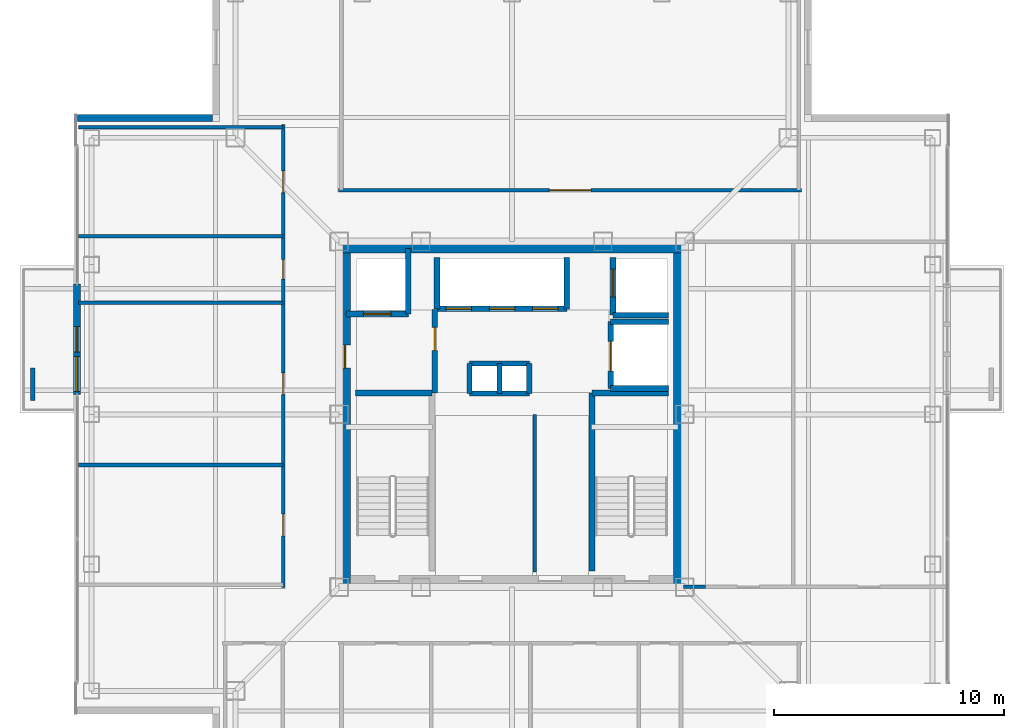
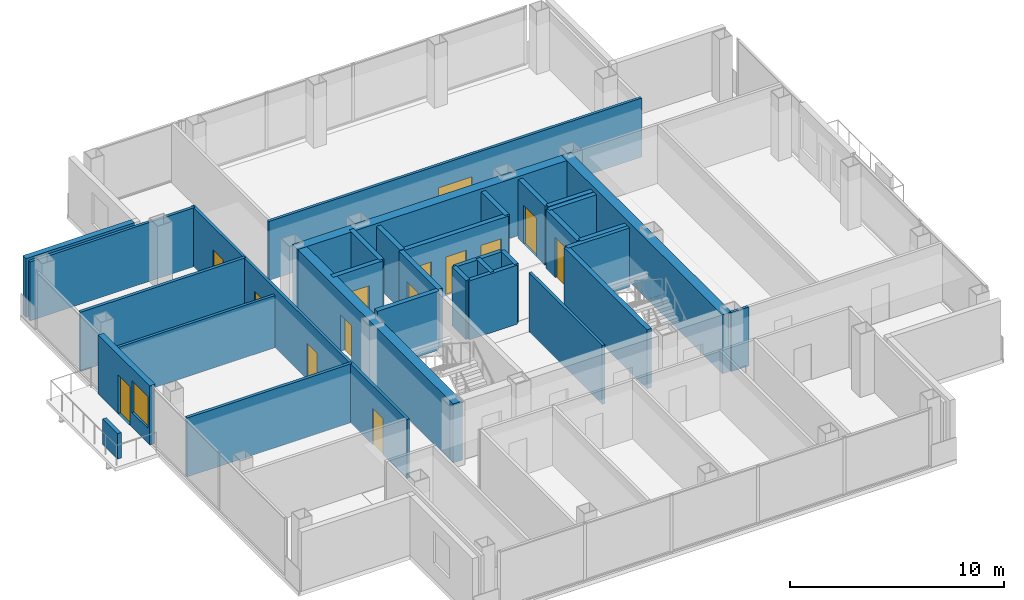
# One storey, part 9 of 13: 33 walls, 14 doors, 1 window, 15 openings.
"""IFC4 building model written with IfcOpenShell, lengths in metres."""

from ifc_helpers import new_model, si_unit, direction, frame, frame_2d, origin, place, context, subcontext, project, spatial, rectangle, extrude, material, layer, layer_set, type_object, element, fill, save


model = new_model("IFC4")

# Units and contexts
model_context = context("Model", 3, precision=1e-05, world=origin(), true_north=direction((0.0, 1.0)))
body_context = subcontext(model_context, "Body", "Model", "MODEL_VIEW")
ifc_project = project(units=[si_unit("LENGTHUNIT", "METRE"), si_unit("AREAUNIT", "SQUARE_METRE"), si_unit("VOLUMEUNIT", "CUBIC_METRE"), si_unit("PLANEANGLEUNIT", "RADIAN"), si_unit("MASSUNIT", "GRAM", prefix="KILO")], contexts=[model_context])

# Site, building, storey
site_placement = place(None, origin())
site = spatial("IfcSite", under=ifc_project, at=site_placement, CompositionType="ELEMENT")
building_placement = place(site_placement, origin())
building = spatial("IfcBuilding", under=site, at=building_placement, Name="Trevonay Congress Spire", CompositionType="ELEMENT")
storey_placement = place(building_placement, frame((0.0, 0.0, 286.39990234375)))
storey = spatial("IfcBuildingStorey", under=building, at=storey_placement, Name="L75", CompositionType="ELEMENT", Elevation=286.39990234375)

# Wall
ifc_material_1 = material(Name="Concrete C50/60", Category="concrete")
ifc_layer_1 = layer(ifc_material_1, 0.5, Name="Concrete C50/60")
ifc_layer_set_1 = layer_set([ifc_layer_1], Name="Concrete C50/60")
wall_type_1 = type_object("IfcWallType", Name="WAL-CORE-500", PredefinedType="SHEAR", material=ifc_layer_set_1)
wall_1_placement = place(storey_placement, frame((-7.5, 7.25, 0.0), z_axis=(0.0, 0.0, 1.0), x_axis=(1.0, 0.0, 0.0)))
element("IfcWall", 1, at=wall_1_placement, inside=storey, type_object=wall_type_1, Name="L75 North structural core shear wall", PredefinedType="SHEAR", context=body_context, shape_type="SweptSolid", body=[
    extrude(rectangle(XDim=15.0, YDim=0.5, at=frame_2d((7.5, 0.0))), origin(), (0.0, 0.0, 1.0), 3.360107421875),
])

# Wall, opening, door
wall_2_placement = place(storey_placement, frame((-7.25, -7.5, 0.0), z_axis=(0.0, 0.0, 1.0), x_axis=(0.0, 1.0, 0.0)))
wall_2 = element("IfcWall", 2, at=wall_2_placement, inside=storey, type_object=wall_type_1, Name="L75 West structural core shear wall", PredefinedType="SHEAR", context=body_context, shape_type="SweptSolid", body=[
    extrude(rectangle(XDim=15.0, YDim=0.5, at=frame_2d((7.5, 0.0))), origin(), (0.0, 0.0, 1.0), 3.360107421875),
])
opening_1_placement = place(wall_2_placement, frame((9.5, 0.0, 0.0)))
opening_1 = element("IfcOpeningElement", 3, at=opening_1_placement, cuts=wall_2, Name="Opening D06", PredefinedType="OPENING", context=body_context, shape_type="SweptSolid", body=[
    extrude(rectangle(XDim=1.0, YDim=2.080078125, at=frame_2d((0.5, 1.0400390625))), frame((0.0, 0.260009765625, 0.0), z_axis=(0.0, -1.0, 0.0), x_axis=(1.0, 0.0, 0.0)), (0.0, 0.0, 1.0), 0.52001953125),
])
ifc_material_2 = material(Name="Steel ASTM A572 Grade 50", Category="steel")
door_type_1 = type_object("IfcDoorType", Name="DOR-FIRE-100", OperationType="NOTDEFINED", PredefinedType="DOOR", material=ifc_material_2)
door_1_placement = place(opening_1_placement, origin())
door_1 = element("IfcDoor", 4, at=door_1_placement, inside=storey, type_object=door_type_1, Name="L75 Firefighting Lift Lobby West Corridor Door", OperationType="SINGLE_SWING_LEFT", OverallHeight=2.080078125, OverallWidth=1.0, PredefinedType="DOOR", context=body_context, shape_type="SweptSolid", body=[
    extrude(rectangle(XDim=1.0, YDim=2.080078125, at=frame_2d((0.5, 1.0400390625))), frame((0.0, 0.02490234375, 0.0), z_axis=(0.0, -1.0, 0.0), x_axis=(1.0, 0.0, 0.0)), (0.0, 0.0, 1.0), 0.050048828125),
])
fill(opening_1, door_1)

# Wall
wall_3_placement = place(storey_placement, frame((7.25, -7.5, 0.0), z_axis=(0.0, 0.0, 1.0), x_axis=(0.0, 1.0, 0.0)))
element("IfcWall", 5, at=wall_3_placement, inside=storey, type_object=wall_type_1, Name="L75 East structural core shear wall", PredefinedType="SHEAR", context=body_context, shape_type="SweptSolid", body=[
    extrude(rectangle(XDim=15.0, YDim=0.5, at=frame_2d((7.5, 0.0))), origin(), (0.0, 0.0, 1.0), 3.360107421875),
])

# Wall, openings, doors
ifc_material_3 = material(Name="Concrete C40/50", Category="concrete")
ifc_layer_2 = layer(ifc_material_3, 0.14990234375, Name="Concrete C40/50")
ifc_layer_set_2 = layer_set([ifc_layer_2], Name="Concrete C40/50")
wall_type_2 = type_object("IfcWallType", Name="WAL-CORR-150", PredefinedType="PARTITIONING", material=ifc_layer_set_2)
wall_4_placement = place(storey_placement, frame((-9.929931640625, -7.52001953125, 0.0), z_axis=(0.0, 0.0, 1.0), x_axis=(0.0, 1.0, 0.0)))
wall_4 = element("IfcWall", 6, at=wall_4_placement, inside=storey, type_object=wall_type_2, Name="L75 interior wall WP-L75NW-COR", PredefinedType="PARTITIONING", context=body_context, shape_type="SweptSolid", body=[
    extrude(rectangle(XDim=20.090087890625, YDim=0.14990234375, at=frame_2d((10.044921875, 0.0))), origin(), (0.0, 0.0, 1.0), 3.360107421875),
])
opening_2_placement = place(wall_4_placement, frame((2.2451171875, 0.0, 0.0)))
opening_2 = element("IfcOpeningElement", 7, at=opening_2_placement, cuts=wall_4, Name="Opening D07", PredefinedType="OPENING", context=body_context, shape_type="SweptSolid", body=[
    extrude(rectangle(XDim=0.949951171875, YDim=2.06005859375, at=frame_2d((0.47509765625, 1.030029296875))), frame((0.0, 0.0849609375, 0.0), z_axis=(0.0, -1.0, 0.0), x_axis=(1.0, 0.0, 0.0)), (0.0, 0.0, 1.0), 0.169921875),
])
opening_3_placement = place(wall_4_placement, frame((8.3701171875, 0.0, 0.0)))
opening_3 = element("IfcOpeningElement", 8, at=opening_3_placement, cuts=wall_4, Name="Opening D07", PredefinedType="OPENING", context=body_context, shape_type="SweptSolid", body=[
    extrude(rectangle(XDim=0.949951171875, YDim=2.06005859375, at=frame_2d((0.47509765625, 1.030029296875))), frame((0.0, 0.0849609375, 0.0), z_axis=(0.0, -1.0, 0.0), x_axis=(1.0, 0.0, 0.0)), (0.0, 0.0, 1.0), 0.169921875),
])
opening_4_placement = place(wall_4_placement, frame((13.385009765625, 0.0, 0.0)))
opening_4 = element("IfcOpeningElement", 9, at=opening_4_placement, cuts=wall_4, Name="Opening D10", PredefinedType="OPENING", context=body_context, shape_type="SweptSolid", body=[
    extrude(rectangle(XDim=0.85009765625, YDim=2.050048828125, at=frame_2d((0.425048828125, 1.02490234375))), frame((0.0, 0.0849609375, 0.0), z_axis=(0.0, -1.0, 0.0), x_axis=(1.0, 0.0, 0.0)), (0.0, 0.0, 1.0), 0.169921875),
])
opening_5_placement = place(wall_4_placement, frame((17.135009765625, 0.0, 0.0)))
opening_5 = element("IfcOpeningElement", 10, at=opening_5_placement, cuts=wall_4, Name="Opening D07", PredefinedType="OPENING", context=body_context, shape_type="SweptSolid", body=[
    extrude(rectangle(XDim=0.949951171875, YDim=2.06005859375, at=frame_2d((0.47509765625, 1.030029296875))), frame((0.0, 0.0849609375, 0.0), z_axis=(0.0, -1.0, 0.0), x_axis=(1.0, 0.0, 0.0)), (0.0, 0.0, 1.0), 0.169921875),
])
ifc_material_4 = material(Name="Pale Anodised Aluminium EN AW-6063-T6", Category="aluminium")
door_type_2 = type_object("IfcDoorType", Name="DOR-OFFICE-95", OperationType="NOTDEFINED", PredefinedType="DOOR", material=ifc_material_4)
door_2_placement = place(opening_2_placement, origin())
door_2 = element("IfcDoor", 11, at=door_2_placement, inside=storey, type_object=door_type_2, Name="L75 Symposium Seminar Room A Door", OperationType="SINGLE_SWING_LEFT", OverallHeight=2.06005859375, OverallWidth=0.949951171875, PredefinedType="DOOR", context=body_context, shape_type="SweptSolid", body=[
    extrude(rectangle(XDim=0.949951171875, YDim=2.06005859375, at=frame_2d((0.47509765625, 1.030029296875))), frame((0.0, 0.02490234375, 0.0), z_axis=(0.0, -1.0, 0.0), x_axis=(1.0, 0.0, 0.0)), (0.0, 0.0, 1.0), 0.050048828125),
])
fill(opening_2, door_2)
door_3_placement = place(opening_3_placement, origin())
door_3 = element("IfcDoor", 12, at=door_3_placement, inside=storey, type_object=door_type_2, Name="L75 Symposium Seminar Room B Door", OperationType="SINGLE_SWING_RIGHT", OverallHeight=2.06005859375, OverallWidth=0.949951171875, PredefinedType="DOOR", context=body_context, shape_type="SweptSolid", body=[
    extrude(rectangle(XDim=0.949951171875, YDim=2.06005859375, at=frame_2d((0.47509765625, 1.030029296875))), frame((0.0, 0.02490234375, 0.0), z_axis=(0.0, -1.0, 0.0), x_axis=(1.0, 0.0, 0.0)), (0.0, 0.0, 1.0), 0.050048828125),
])
fill(opening_3, door_3)
door_4_placement = place(opening_5_placement, origin())
door_4 = element("IfcDoor", 13, at=door_4_placement, inside=storey, type_object=door_type_2, Name="L75 Floor Supplies and Copy Room Door", OperationType="SINGLE_SWING_RIGHT", OverallHeight=2.06005859375, OverallWidth=0.949951171875, PredefinedType="DOOR", context=body_context, shape_type="SweptSolid", body=[
    extrude(rectangle(XDim=0.949951171875, YDim=2.06005859375, at=frame_2d((0.47509765625, 1.030029296875))), frame((0.0, 0.02490234375, 0.0), z_axis=(0.0, -1.0, 0.0), x_axis=(1.0, 0.0, 0.0)), (0.0, 0.0, 1.0), 0.050048828125),
])
fill(opening_5, door_4)
door_type_3 = type_object("IfcDoorType", Name="DOR-WC-85", OperationType="NOTDEFINED", PredefinedType="DOOR", material=ifc_material_4)
door_5_placement = place(opening_4_placement, origin())
door_5 = element("IfcDoor", 14, at=door_5_placement, inside=storey, type_object=door_type_3, Name="L75 Male Restroom WC Door", OperationType="SINGLE_SWING_LEFT", OverallHeight=2.050048828125, OverallWidth=0.85009765625, PredefinedType="DOOR", context=body_context, shape_type="SweptSolid", body=[
    extrude(rectangle(XDim=0.85009765625, YDim=2.050048828125, at=frame_2d((0.425048828125, 1.02490234375))), frame((0.0, 0.02490234375, 0.0), z_axis=(0.0, -1.0, 0.0), x_axis=(1.0, 0.0, 0.0)), (0.0, 0.0, 1.0), 0.050048828125),
])
fill(opening_4, door_5)

# Wall, opening, door
wall_5_placement = place(storey_placement, frame((-7.52001953125, 9.72998046875, 0.0), z_axis=(0.0, 0.0, 1.0), x_axis=(1.0, 0.0, 0.0)))
wall_5 = element("IfcWall", 15, at=wall_5_placement, inside=storey, type_object=wall_type_2, Name="L75 interior wall WP-L75N-COR", PredefinedType="PARTITIONING", context=body_context, shape_type="SweptSolid", body=[
    extrude(rectangle(XDim=20.090087890625, YDim=0.14990234375, at=frame_2d((10.044921875, 0.0))), origin(), (0.0, 0.0, 1.0), 3.360107421875),
])
opening_6_placement = place(wall_5_placement, frame((9.14501953125, 0.0, 0.0)))
opening_6 = element("IfcOpeningElement", 16, at=opening_6_placement, cuts=wall_5, Name="Opening D09", PredefinedType="OPENING", context=body_context, shape_type="SweptSolid", body=[
    extrude(rectangle(XDim=1.800048828125, YDim=2.080078125, at=frame_2d((0.89990234375, 1.0400390625))), frame((0.0, 0.0849609375, 0.0), z_axis=(0.0, -1.0, 0.0), x_axis=(1.0, 0.0, 0.0)), (0.0, 0.0, 1.0), 0.169921875),
])
door_type_4 = type_object("IfcDoorType", Name="DOR-CONF-DBL", OperationType="DOUBLE_DOOR_SINGLE_SWING", PredefinedType="DOOR", material=ifc_material_4)
door_6_placement = place(opening_6_placement, origin())
door_6 = element("IfcDoor", 17, at=door_6_placement, inside=storey, type_object=door_type_4, Name="L75 Sky Chamber Recital Auditorium Door", OperationType="DOUBLE_DOOR_SINGLE_SWING", OverallHeight=2.080078125, OverallWidth=1.800048828125, PredefinedType="DOOR", context=body_context, shape_type="SweptSolid", body=[
    extrude(rectangle(XDim=1.800048828125, YDim=2.080078125, at=frame_2d((0.89990234375, 1.0400390625))), frame((0.0, 0.02490234375, 0.0), z_axis=(0.0, -1.0, 0.0), x_axis=(1.0, 0.0, 0.0)), (0.0, 0.0, 1.0), 0.050048828125),
])
fill(opening_6, door_6)

# Wall
wall_6_placement = place(storey_placement, frame((7.449951171875, -7.47998046875, 0.0), z_axis=(0.0, 0.0, 1.0), x_axis=(1.0, 0.0, 0.0)))
element("IfcWall", 18, at=wall_6_placement, inside=storey, type_object=wall_type_2, Name="L75 interior wall WP-L75E-STUB", PredefinedType="PARTITIONING", context=body_context, shape_type="SweptSolid", body=[
    extrude(rectangle(XDim=0.949951171875, YDim=0.14990234375, at=frame_2d((0.47509765625, 0.0))), origin(), (0.0, 0.0, 1.0), 3.360107421875),
])

# Wall, openings, door, window
ifc_material_5 = material(Name="Precast concrete C40/50", Category="concrete")
ifc_layer_3 = layer(ifc_material_5, 0.300048828125, Name="Precast concrete C40/50")
ifc_layer_set_3 = layer_set([ifc_layer_3], Name="Precast concrete C40/50")
wall_type_3 = type_object("IfcWallType", Name="WAL-EXT-PRECAST-300", PredefinedType="SOLIDWALL", material=ifc_layer_set_3)
wall_7_placement = place(storey_placement, frame((-18.8798828125, 0.85009765625, 0.0), z_axis=(0.0, 0.0, 1.0), x_axis=(0.0, 1.0, 0.0)))
wall_7 = element("IfcWall", 19, at=wall_7_placement, inside=storey, type_object=wall_type_3, Name="L75 W glazed balcony portal exterior wall", PredefinedType="SOLIDWALL", context=body_context, shape_type="SweptSolid", body=[
    extrude(rectangle(XDim=4.7998046875, YDim=0.300048828125, at=frame_2d((2.39990234375, 0.0))), origin(), (0.0, 0.0, 1.0), 3.360107421875),
])
opening_7_placement = place(wall_7_placement, frame((1.85009765625, 0.0, 0.0)))
opening_7 = element("IfcOpeningElement", 20, at=opening_7_placement, cuts=wall_7, Name="Opening D03", PredefinedType="OPENING", context=body_context, shape_type="SweptSolid", body=[
    extrude(rectangle(XDim=1.10009765625, YDim=2.199951171875, at=frame_2d((0.550048828125, 1.10009765625))), frame((0.0, 0.16015625, 0.0), z_axis=(0.0, -1.0, 0.0), x_axis=(1.0, 0.0, 0.0)), (0.0, 0.0, 1.0), 0.320068359375),
])
opening_8_placement = place(wall_7_placement, frame((0.14990234375, 0.0, 0.85009765625)))
opening_8 = element("IfcOpeningElement", 21, at=opening_8_placement, cuts=wall_7, Name="Opening WN03", PredefinedType="OPENING", context=body_context, shape_type="SweptSolid", body=[
    extrude(rectangle(XDim=1.5, YDim=1.800048828125, at=frame_2d((0.75, 0.89990234375))), frame((0.0, 0.16015625, 0.0), z_axis=(0.0, -1.0, 0.0), x_axis=(1.0, 0.0, 0.0)), (0.0, 0.0, 1.0), 0.320068359375),
])
door_type_5 = type_object("IfcDoorType", Name="DOR-EXT-BAL-110", OperationType="NOTDEFINED", PredefinedType="DOOR", material=ifc_material_4)
door_7_placement = place(opening_7_placement, origin())
door_7 = element("IfcDoor", 22, at=door_7_placement, inside=storey, type_object=door_type_5, Name="L75 W glazed outdoor terrace and balcony door", OperationType="SINGLE_SWING_LEFT", OverallHeight=2.199951171875, OverallWidth=1.10009765625, PredefinedType="DOOR", context=body_context, shape_type="SweptSolid", body=[
    extrude(rectangle(XDim=1.10009765625, YDim=2.199951171875, at=frame_2d((0.550048828125, 1.10009765625))), frame((0.0, 0.02490234375, 0.0), z_axis=(0.0, -1.0, 0.0), x_axis=(1.0, 0.0, 0.0)), (0.0, 0.0, 1.0), 0.050048828125),
])
fill(opening_7, door_7)
ifc_material_6 = material(Name="Insulated Low-E Vision Glass IGU", Category="glass")
window_type = type_object("IfcWindowType", Name="WIN-NOTCH-150X180", PartitioningType="SINGLE_PANEL", PredefinedType="WINDOW", material=ifc_material_6)
window_placement = place(opening_8_placement, origin())
window = element("IfcWindow", 23, at=window_placement, inside=storey, type_object=window_type, Name="L75 W balcony sidelight window L", OverallHeight=1.800048828125, OverallWidth=1.5, PartitioningType="SINGLE_PANEL", PredefinedType="WINDOW", context=body_context, shape_type="SweptSolid", body=[
    extrude(rectangle(XDim=1.5, YDim=1.800048828125, at=frame_2d((0.75, 0.89990234375))), frame((0.0, 0.030029296875, 0.0), z_axis=(0.0, -1.0, 0.0), x_axis=(1.0, 0.0, 0.0)), (0.0, 0.0, 1.0), 0.06005859375),
])
fill(opening_8, window)

# Walls
wall_8_placement = place(storey_placement, frame((-18.85009765625, 12.85009765625, 0.0), z_axis=(0.0, 0.0, 1.0), x_axis=(1.0, 0.0, 0.0)))
element("IfcWall", 24, at=wall_8_placement, inside=storey, type_object=wall_type_3, Name="L75 NW re-entrant notch exterior wall 2", PredefinedType="SOLIDWALL", context=body_context, shape_type="SweptSolid", body=[
    extrude(rectangle(XDim=5.85009765625, YDim=0.300048828125, at=frame_2d((2.925048828125, 0.0))), origin(), (0.0, 0.0, 1.0), 3.360107421875),
])
ifc_layer_4 = layer(ifc_material_3, 0.14990234375, Name="Concrete C40/50")
ifc_layer_set_4 = layer_set([ifc_layer_4], Name="Concrete C40/50")
wall_type_4 = type_object("IfcWallType", Name="WAL-PART-150", PredefinedType="PARTITIONING", material=ifc_layer_set_4)
wall_9_placement = place(storey_placement, frame((0.97998046875, -6.85009765625, 0.0), z_axis=(0.0, 0.0, 1.0), x_axis=(0.0, 1.0, 0.0)))
element("IfcWall", 25, at=wall_9_placement, inside=storey, type_object=wall_type_4, Name="L75 interior wall CW-F3-L75", PredefinedType="PARTITIONING", context=body_context, shape_type="SweptSolid", body=[
    extrude(rectangle(XDim=6.85009765625, YDim=0.14990234375, at=frame_2d((3.425048828125, 0.0))), origin(), (0.0, 0.0, 1.0), 3.360107421875),
])
wall_10_placement = place(storey_placement, frame((-18.820068359375, 4.85009765625, 0.0), z_axis=(0.0, 0.0, 1.0), x_axis=(1.0, 0.0, 0.0)))
element("IfcWall", 26, at=wall_10_placement, inside=storey, type_object=wall_type_4, Name="L75 interior wall WP-L75NW-DIV3", PredefinedType="PARTITIONING", context=body_context, shape_type="SweptSolid", body=[
    extrude(rectangle(XDim=8.89013671875, YDim=0.14990234375, at=frame_2d((4.445068359375, 0.0))), origin(), (0.0, 0.0, 1.0), 2.97705078125),
])
wall_11_placement = place(storey_placement, frame((-18.820068359375, 12.449951171875, 0.0), z_axis=(0.0, 0.0, 1.0), x_axis=(1.0, 0.0, 0.0)))
element("IfcWall", 27, at=wall_11_placement, inside=storey, type_object=wall_type_4, Name="L75 interior wall WP-L75NW-DIV4", PredefinedType="PARTITIONING", context=body_context, shape_type="SweptSolid", body=[
    extrude(rectangle(XDim=8.89013671875, YDim=0.14990234375, at=frame_2d((4.445068359375, 0.0))), origin(), (0.0, 0.0, 1.0), 3.360107421875),
])
ifc_layer_5 = layer(ifc_material_3, 0.219970703125, Name="Concrete C40/50")
ifc_layer_set_5 = layer_set([ifc_layer_5], Name="Concrete C40/50")
wall_type_5 = type_object("IfcWallType", Name="WAL-SHAFT-220", PredefinedType="PARTITIONING", material=ifc_layer_set_5)
for number, where, z_axis, x_axis, name in (
    (28, (-1.85009765625, 2.199951171875, 0.0), (0.0, 0.0, 1.0), (1.0, 0.0, 0.0), "L75 interior shaft wall WSH-L75-RSR-N"),
    (29, (-1.85009765625, 0.89990234375, 0.0), (0.0, 0.0, 1.0), (1.0, 0.0, 0.0), "L75 interior shaft wall WSH-L75-RSR-S"),
):
    element("IfcWall", number, at=place(storey_placement, frame(where, z_axis=z_axis, x_axis=x_axis)), inside=storey, type_object=wall_type_5, Name=name, PredefinedType="PARTITIONING", context=body_context, shape_type="SweptSolid", body=[
        extrude(rectangle(XDim=2.60009765625, YDim=0.219970703125, at=frame_2d((1.300048828125, 0.0))), origin(), (0.0, 0.0, 1.0), 3.360107421875),
    ])
for number, where, z_axis, x_axis, name in (
    (30, (-0.550048828125, 0.89990234375, 0.0), (0.0, 0.0, 1.0), (0.0, 1.0, 0.0), "L75 interior shaft wall WSH-L75-RSR-M"),
    (31, (0.75, 0.89990234375, 0.0), (0.0, 0.0, 1.0), (0.0, 1.0, 0.0), "L75 interior shaft wall WSH-L75-RSR-E"),
    (32, (-1.85009765625, 0.89990234375, 0.0), (0.0, 0.0, 1.0), (0.0, 1.0, 0.0), "L75 interior shaft wall WSH-L75-RSR-W"),
):
    element("IfcWall", number, at=place(storey_placement, frame(where, z_axis=z_axis, x_axis=x_axis)), inside=storey, type_object=wall_type_5, Name=name, PredefinedType="PARTITIONING", context=body_context, shape_type="SweptSolid", body=[
        extrude(rectangle(XDim=1.300048828125, YDim=0.219970703125, at=frame_2d((0.64990234375, 0.0))), origin(), (0.0, 0.0, 1.0), 3.360107421875),
    ])

# Wall, openings, doors
ifc_layer_6 = layer(ifc_material_3, 0.25, Name="Concrete C40/50")
ifc_layer_set_6 = layer_set([ifc_layer_6], Name="Concrete C40/50")
wall_type_6 = type_object("IfcWallType", Name="WAL-SHAFT-250", PredefinedType="SHEAR", material=ifc_layer_set_6)
wall_12_placement = place(storey_placement, frame((-3.260009765625, 4.580078125, 0.0), z_axis=(0.0, 0.0, 1.0), x_axis=(1.0, 0.0, 0.0)))
wall_12 = element("IfcWall", 33, at=wall_12_placement, inside=storey, type_object=wall_type_6, Name="L75 interior shaft wall WSH-L75-B3-S", PredefinedType="SHEAR", context=body_context, shape_type="SweptSolid", body=[
    extrude(rectangle(XDim=5.639892578125, YDim=0.25, at=frame_2d((2.81982421875, 0.0))), origin(), (0.0, 0.0, 1.0), 3.360107421875),
])
opening_9_placement = place(wall_12_placement, frame((0.39990234375, 0.0, 0.0)))
opening_9 = element("IfcOpeningElement", 34, at=opening_9_placement, cuts=wall_12, Name="Opening LD03", PredefinedType="OPENING", context=body_context, shape_type="SweptSolid", body=[
    extrude(rectangle(XDim=1.10009765625, YDim=2.199951171875, at=frame_2d((0.550048828125, 1.10009765625))), frame((0.0, 0.135009765625, 0.0), z_axis=(0.0, -1.0, 0.0), x_axis=(1.0, 0.0, 0.0)), (0.0, 0.0, 1.0), 0.27001953125),
])
opening_10_placement = place(wall_12_placement, frame((2.280029296875, 0.0, 0.0)))
opening_10 = element("IfcOpeningElement", 35, at=opening_10_placement, cuts=wall_12, Name="Opening LD03", PredefinedType="OPENING", context=body_context, shape_type="SweptSolid", body=[
    extrude(rectangle(XDim=1.10009765625, YDim=2.199951171875, at=frame_2d((0.550048828125, 1.10009765625))), frame((0.0, 0.135009765625, 0.0), z_axis=(0.0, -1.0, 0.0), x_axis=(1.0, 0.0, 0.0)), (0.0, 0.0, 1.0), 0.27001953125),
])
opening_11_placement = place(wall_12_placement, frame((4.159912109375, 0.0, 0.0)))
opening_11 = element("IfcOpeningElement", 36, at=opening_11_placement, cuts=wall_12, Name="Opening LD03", PredefinedType="OPENING", context=body_context, shape_type="SweptSolid", body=[
    extrude(rectangle(XDim=1.10009765625, YDim=2.199951171875, at=frame_2d((0.550048828125, 1.10009765625))), frame((0.0, 0.135009765625, 0.0), z_axis=(0.0, -1.0, 0.0), x_axis=(1.0, 0.0, 0.0)), (0.0, 0.0, 1.0), 0.27001953125),
])
door_type_6 = type_object("IfcDoorType", Name="DOR-LIFT-LD03", OperationType="DOUBLE_DOOR_SLIDING", PredefinedType="DOOR", material=ifc_material_4)
door_8_placement = place(opening_9_placement, origin())
door_8 = element("IfcDoor", 37, at=door_8_placement, inside=storey, type_object=door_type_6, Name="L75 Passenger lift PL-07 landing door", OperationType="DOUBLE_DOOR_SLIDING", OverallHeight=2.199951171875, OverallWidth=1.10009765625, PredefinedType="DOOR", context=body_context, shape_type="SweptSolid", body=[
    extrude(rectangle(XDim=1.10009765625, YDim=2.199951171875, at=frame_2d((0.550048828125, 1.10009765625))), frame((0.0, 0.02490234375, 0.0), z_axis=(0.0, -1.0, 0.0), x_axis=(1.0, 0.0, 0.0)), (0.0, 0.0, 1.0), 0.050048828125),
])
fill(opening_9, door_8)
door_9_placement = place(opening_10_placement, origin())
door_9 = element("IfcDoor", 38, at=door_9_placement, inside=storey, type_object=door_type_6, Name="L75 Passenger lift PL-08 landing door", OperationType="DOUBLE_DOOR_SLIDING", OverallHeight=2.199951171875, OverallWidth=1.10009765625, PredefinedType="DOOR", context=body_context, shape_type="SweptSolid", body=[
    extrude(rectangle(XDim=1.10009765625, YDim=2.199951171875, at=frame_2d((0.550048828125, 1.10009765625))), frame((0.0, 0.02490234375, 0.0), z_axis=(0.0, -1.0, 0.0), x_axis=(1.0, 0.0, 0.0)), (0.0, 0.0, 1.0), 0.050048828125),
])
fill(opening_10, door_9)
door_10_placement = place(opening_11_placement, origin())
door_10 = element("IfcDoor", 39, at=door_10_placement, inside=storey, type_object=door_type_6, Name="L75 Passenger lift PL-09 landing door", OperationType="DOUBLE_DOOR_SLIDING", OverallHeight=2.199951171875, OverallWidth=1.10009765625, PredefinedType="DOOR", context=body_context, shape_type="SweptSolid", body=[
    extrude(rectangle(XDim=1.10009765625, YDim=2.199951171875, at=frame_2d((0.550048828125, 1.10009765625))), frame((0.0, 0.02490234375, 0.0), z_axis=(0.0, -1.0, 0.0), x_axis=(1.0, 0.0, 0.0)), (0.0, 0.0, 1.0), 0.050048828125),
])
fill(opening_11, door_10)

# Walls
for number, where, z_axis, x_axis, name in (
    (40, (-3.260009765625, 4.580078125, 0.0), (0.0, 0.0, 1.0), (0.0, 1.0, 0.0), "L75 interior shaft wall WSH-L75-B3-W"),
    (41, (2.3798828125, 4.580078125, 0.0), (0.0, 0.0, 1.0), (0.0, 1.0, 0.0), "L75 interior shaft wall WSH-L75-B3-E"),
):
    element("IfcWall", number, at=place(storey_placement, frame(where, z_axis=z_axis, x_axis=x_axis)), inside=storey, type_object=wall_type_6, Name=name, PredefinedType="SHEAR", context=body_context, shape_type="SweptSolid", body=[
        extrude(rectangle(XDim=2.219970703125, YDim=0.25, at=frame_2d((1.10986328125, 0.0))), origin(), (0.0, 0.0, 1.0), 3.360107421875),
    ])

# Wall, opening, door
wall_13_placement = place(storey_placement, frame((-7.199951171875, 4.35009765625, 0.0), z_axis=(0.0, 0.0, 1.0), x_axis=(1.0, 0.0, 0.0)))
wall_13 = element("IfcWall", 42, at=wall_13_placement, inside=storey, type_object=wall_type_6, Name="L75 interior shaft wall WSH-L75-FF1-S", PredefinedType="SHEAR", context=body_context, shape_type="SweptSolid", body=[
    extrude(rectangle(XDim=2.699951171875, YDim=0.25, at=frame_2d((1.35009765625, 0.0))), origin(), (0.0, 0.0, 1.0), 3.360107421875),
])
opening_12_placement = place(wall_13_placement, frame((0.75, 0.0, 0.0)))
opening_12 = element("IfcOpeningElement", 43, at=opening_12_placement, cuts=wall_13, Name="Opening LD04", PredefinedType="OPENING", context=body_context, shape_type="SweptSolid", body=[
    extrude(rectangle(XDim=1.199951171875, YDim=2.199951171875, at=frame_2d((0.60009765625, 1.10009765625))), frame((0.0, 0.135009765625, 0.0), z_axis=(0.0, -1.0, 0.0), x_axis=(1.0, 0.0, 0.0)), (0.0, 0.0, 1.0), 0.27001953125),
])
door_type_7 = type_object("IfcDoorType", Name="DOR-LIFT-LD04", OperationType="DOUBLE_DOOR_SLIDING", PredefinedType="DOOR", material=ifc_material_2)
door_11_placement = place(opening_12_placement, origin())
door_11 = element("IfcDoor", 44, at=door_11_placement, inside=storey, type_object=door_type_7, Name="L75 Firefighting lift FFL-01 landing door", OperationType="DOUBLE_DOOR_SLIDING", OverallHeight=2.199951171875, OverallWidth=1.199951171875, PredefinedType="DOOR", context=body_context, shape_type="SweptSolid", body=[
    extrude(rectangle(XDim=1.199951171875, YDim=2.199951171875, at=frame_2d((0.60009765625, 1.10009765625))), frame((0.0, 0.02490234375, 0.0), z_axis=(0.0, -1.0, 0.0), x_axis=(1.0, 0.0, 0.0)), (0.0, 0.0, 1.0), 0.050048828125),
])
fill(opening_12, door_11)

# Walls
wall_14_placement = place(storey_placement, frame((-4.5, 4.35009765625, 0.0), z_axis=(0.0, 0.0, 1.0), x_axis=(0.0, 1.0, 0.0)))
element("IfcWall", 45, at=wall_14_placement, inside=storey, type_object=wall_type_6, Name="L75 interior shaft wall WSH-L75-FF1-E", PredefinedType="SHEAR", context=body_context, shape_type="SweptSolid", body=[
    extrude(rectangle(XDim=2.849853515625, YDim=0.25, at=frame_2d((1.4248046875, 0.0))), origin(), (0.0, 0.0, 1.0), 3.360107421875),
])
wall_15_placement = place(storey_placement, frame((4.3798828125, 4.300048828125, 0.0), z_axis=(0.0, 0.0, 1.0), x_axis=(1.0, 0.0, 0.0)))
element("IfcWall", 46, at=wall_15_placement, inside=storey, type_object=wall_type_6, Name="L75 interior shaft wall WSH-L75-FF2-S", PredefinedType="SHEAR", context=body_context, shape_type="SweptSolid", body=[
    extrude(rectangle(XDim=2.420166015625, YDim=0.25, at=frame_2d((1.2099609375, 0.0))), origin(), (0.0, 0.0, 1.0), 3.360107421875),
])

# Wall, opening, door
wall_16_placement = place(storey_placement, frame((4.3798828125, 4.300048828125, 0.0), z_axis=(0.0, 0.0, 1.0), x_axis=(0.0, 1.0, 0.0)))
wall_16 = element("IfcWall", 47, at=wall_16_placement, inside=storey, type_object=wall_type_6, Name="L75 interior shaft wall WSH-L75-FF2-W", PredefinedType="SHEAR", context=body_context, shape_type="SweptSolid", body=[
    extrude(rectangle(XDim=2.5, YDim=0.25, at=frame_2d((1.25, 0.0))), origin(), (0.0, 0.0, 1.0), 3.360107421875),
])
opening_13_placement = place(wall_16_placement, frame((0.800048828125, 0.0, 0.0)))
opening_13 = element("IfcOpeningElement", 48, at=opening_13_placement, cuts=wall_16, Name="Opening LD04", PredefinedType="OPENING", context=body_context, shape_type="SweptSolid", body=[
    extrude(rectangle(XDim=1.199951171875, YDim=2.199951171875, at=frame_2d((0.60009765625, 1.10009765625))), frame((0.0, 0.135009765625, 0.0), z_axis=(0.0, -1.0, 0.0), x_axis=(1.0, 0.0, 0.0)), (0.0, 0.0, 1.0), 0.27001953125),
])
door_12_placement = place(opening_13_placement, origin())
door_12 = element("IfcDoor", 49, at=door_12_placement, inside=storey, type_object=door_type_7, Name="L75 Firefighting lift FFL-02 landing door", OperationType="DOUBLE_DOOR_SLIDING", OverallHeight=2.199951171875, OverallWidth=1.199951171875, PredefinedType="DOOR", context=body_context, shape_type="SweptSolid", body=[
    extrude(rectangle(XDim=1.199951171875, YDim=2.199951171875, at=frame_2d((0.60009765625, 1.10009765625))), frame((0.0, 0.02490234375, 0.0), z_axis=(0.0, -1.0, 0.0), x_axis=(1.0, 0.0, 0.0)), (0.0, 0.0, 1.0), 0.050048828125),
])
fill(opening_13, door_12)

wall_17_placement = place(storey_placement, frame((4.280029296875, 1.1201171875, 0.0), z_axis=(0.0, 0.0, 1.0), x_axis=(0.0, 1.0, 0.0)))
wall_17 = element("IfcWall", 50, at=wall_17_placement, inside=storey, type_object=wall_type_6, Name="L75 interior shaft wall WSH-L75-SV-W", PredefinedType="SHEAR", context=body_context, shape_type="SweptSolid", body=[
    extrude(rectangle(XDim=2.89990234375, YDim=0.25, at=frame_2d((1.449951171875, 0.0))), origin(), (0.0, 0.0, 1.0), 3.360107421875),
])
opening_14_placement = place(wall_17_placement, frame((0.75, 0.0, 0.0)))
opening_14 = element("IfcOpeningElement", 51, at=opening_14_placement, cuts=wall_17, Name="Opening LD05", PredefinedType="OPENING", context=body_context, shape_type="SweptSolid", body=[
    extrude(rectangle(XDim=1.300048828125, YDim=2.300048828125, at=frame_2d((0.64990234375, 1.14990234375))), frame((0.0, 0.135009765625, 0.0), z_axis=(0.0, -1.0, 0.0), x_axis=(1.0, 0.0, 0.0)), (0.0, 0.0, 1.0), 0.27001953125),
])
door_type_8 = type_object("IfcDoorType", Name="DOR-LIFT-LD05", OperationType="DOUBLE_DOOR_SLIDING", PredefinedType="DOOR", material=ifc_material_2)
door_13_placement = place(opening_14_placement, origin())
door_13 = element("IfcDoor", 52, at=door_13_placement, inside=storey, type_object=door_type_8, Name="L75 Goods lift SVL-01 landing door", OperationType="DOUBLE_DOOR_SLIDING", OverallHeight=2.300048828125, OverallWidth=1.300048828125, PredefinedType="DOOR", context=body_context, shape_type="SweptSolid", body=[
    extrude(rectangle(XDim=1.300048828125, YDim=2.300048828125, at=frame_2d((0.64990234375, 1.14990234375))), frame((0.0, 0.02490234375, 0.0), z_axis=(0.0, -1.0, 0.0), x_axis=(1.0, 0.0, 0.0)), (0.0, 0.0, 1.0), 0.050048828125),
])
fill(opening_14, door_13)

# Walls
for number, where, z_axis, x_axis, name in (
    (53, (4.280029296875, 1.1201171875, 0.0), (0.0, 0.0, 1.0), (1.0, 0.0, 0.0), "L75 interior shaft wall WSH-L75-SV-S"),
    (54, (4.280029296875, 4.02001953125, 0.0), (0.0, 0.0, 1.0), (1.0, 0.0, 0.0), "L75 interior shaft wall WSH-L75-SV-N"),
):
    element("IfcWall", number, at=place(storey_placement, frame(where, z_axis=z_axis, x_axis=x_axis)), inside=storey, type_object=wall_type_6, Name=name, PredefinedType="SHEAR", context=body_context, shape_type="SweptSolid", body=[
        extrude(rectangle(XDim=2.52001953125, YDim=0.25, at=frame_2d((1.260009765625, 0.0))), origin(), (0.0, 0.0, 1.0), 3.360107421875),
    ])

# Wall, opening, door
wall_18_placement = place(storey_placement, frame((-3.35009765625, 0.919921875, 0.0), z_axis=(0.0, 0.0, 1.0), x_axis=(0.0, 1.0, 0.0)))
wall_18 = element("IfcWall", 55, at=wall_18_placement, inside=storey, type_object=wall_type_6, Name="L75 interior wall CW-FFLW-E-L75", PredefinedType="SHEAR", context=body_context, shape_type="SweptSolid", body=[
    extrude(rectangle(XDim=3.6201171875, YDim=0.25, at=frame_2d((1.81005859375, 0.0))), origin(), (0.0, 0.0, 1.0), 3.360107421875),
])
opening_15_placement = place(wall_18_placement, frame((1.85009765625, 0.0, 0.0)))
opening_15 = element("IfcOpeningElement", 56, at=opening_15_placement, cuts=wall_18, Name="Opening D06", PredefinedType="OPENING", context=body_context, shape_type="SweptSolid", body=[
    extrude(rectangle(XDim=1.0, YDim=2.080078125, at=frame_2d((0.5, 1.0400390625))), frame((0.0, 0.135009765625, 0.0), z_axis=(0.0, -1.0, 0.0), x_axis=(1.0, 0.0, 0.0)), (0.0, 0.0, 1.0), 0.27001953125),
])
door_14_placement = place(opening_15_placement, origin())
door_14 = element("IfcDoor", 57, at=door_14_placement, inside=storey, type_object=door_type_1, Name="L75 Firefighting Core Lobby Transfer Door", OperationType="SINGLE_SWING_RIGHT", OverallHeight=2.080078125, OverallWidth=1.0, PredefinedType="DOOR", context=body_context, shape_type="SweptSolid", body=[
    extrude(rectangle(XDim=1.0, YDim=2.080078125, at=frame_2d((0.5, 1.0400390625))), frame((0.0, 0.02490234375, 0.0), z_axis=(0.0, -1.0, 0.0), x_axis=(1.0, 0.0, 0.0)), (0.0, 0.0, 1.0), 0.050048828125),
])
fill(opening_15, door_14)

# Walls
ifc_layer_7 = layer(ifc_material_3, 0.25, Name="Concrete C40/50")
ifc_layer_set_7 = layer_set([ifc_layer_7], Name="Concrete C40/50")
wall_type_7 = type_object("IfcWallType", Name="WAL-SHAFT-LB-250", PredefinedType="SHEAR", material=ifc_layer_set_7)
wall_19_placement = place(storey_placement, frame((-6.800048828125, 0.919921875, 0.0), z_axis=(0.0, 0.0, 1.0), x_axis=(1.0, 0.0, 0.0)))
element("IfcWall", 58, at=wall_19_placement, inside=storey, type_object=wall_type_7, Name="L75 interior shaft wall WSH-L75-ST1-N", PredefinedType="SHEAR", context=body_context, shape_type="SweptSolid", body=[
    extrude(rectangle(XDim=3.330078125, YDim=0.25, at=frame_2d((1.6650390625, 0.0))), origin(), (0.0, 0.0, 1.0), 3.360107421875),
])
wall_20_placement = place(storey_placement, frame((3.469970703125, -6.800048828125, 0.0), z_axis=(0.0, 0.0, 1.0), x_axis=(0.0, 1.0, 0.0)))
element("IfcWall", 59, at=wall_20_placement, inside=storey, type_object=wall_type_7, Name="L75 interior shaft wall WSH-L75-ST2-W", PredefinedType="SHEAR", context=body_context, shape_type="SweptSolid", body=[
    extrude(rectangle(XDim=7.719970703125, YDim=0.25, at=frame_2d((3.85986328125, 0.0))), origin(), (0.0, 0.0, 1.0), 3.360107421875),
])
wall_21_placement = place(storey_placement, frame((3.469970703125, 0.919921875, 0.0), z_axis=(0.0, 0.0, 1.0), x_axis=(1.0, 0.0, 0.0)))
element("IfcWall", 60, at=wall_21_placement, inside=storey, type_object=wall_type_7, Name="L75 interior shaft wall WSH-L75-ST2-N", PredefinedType="SHEAR", context=body_context, shape_type="SweptSolid", body=[
    extrude(rectangle(XDim=3.330078125, YDim=0.25, at=frame_2d((1.6650390625, 0.0))), origin(), (0.0, 0.0, 1.0), 3.360107421875),
])
ifc_layer_8 = layer(ifc_material_5, 0.199951171875, Name="Precast concrete C40/50")
ifc_layer_set_8 = layer_set([ifc_layer_8], Name="Precast concrete C40/50")
wall_type_8 = type_object("IfcWallType", Name="WAL-TREE-PLANTER-200", PredefinedType="PARAPET", material=ifc_layer_set_8)
wall_22_placement = place(storey_placement, frame((-20.800048828125, 0.60009765625, 0.0), z_axis=(0.0, 0.0, 1.0), x_axis=(0.0, 1.0, 0.0)))
element("IfcWall", 61, at=wall_22_placement, inside=storey, type_object=wall_type_8, Name="L75 W cantilevered balcony tree planter box", PredefinedType="PARAPET", context=body_context, shape_type="SweptSolid", body=[
    extrude(rectangle(XDim=1.39990234375, YDim=0.199951171875, at=frame_2d((0.699951171875, 0.0))), origin(), (0.0, 0.0, 1.0), 1.4501953125),
])
ifc_layer_9 = layer(ifc_material_3, 0.1650390625, Name="Concrete C40/50")
ifc_layer_set_9 = layer_set([ifc_layer_9], Name="Concrete C40/50")
wall_type_9 = type_object("IfcWallType", Name="WAL-WET-165", PredefinedType="PLUMBINGWALL", material=ifc_layer_set_9)
for number, where, z_axis, x_axis, name in (
    (62, (-18.820068359375, 7.72998046875, 0.0), (0.0, 0.0, 1.0), (1.0, 0.0, 0.0), "L75 interior wall WP-L75NW-WCS3"),
    (63, (-18.820068359375, -2.199951171875, 0.0), (0.0, 0.0, 1.0), (1.0, 0.0, 0.0), "L75 interior wall WP-L75NW-DIV2"),
):
    element("IfcWall", number, at=place(storey_placement, frame(where, z_axis=z_axis, x_axis=x_axis)), inside=storey, type_object=wall_type_9, Name=name, PredefinedType="PLUMBINGWALL", context=body_context, shape_type="SweptSolid", body=[
        extrude(rectangle(XDim=8.89013671875, YDim=0.1650390625, at=frame_2d((4.445068359375, 0.0))), origin(), (0.0, 0.0, 1.0), 3.360107421875),
    ])

save(model, "model.ifc")
